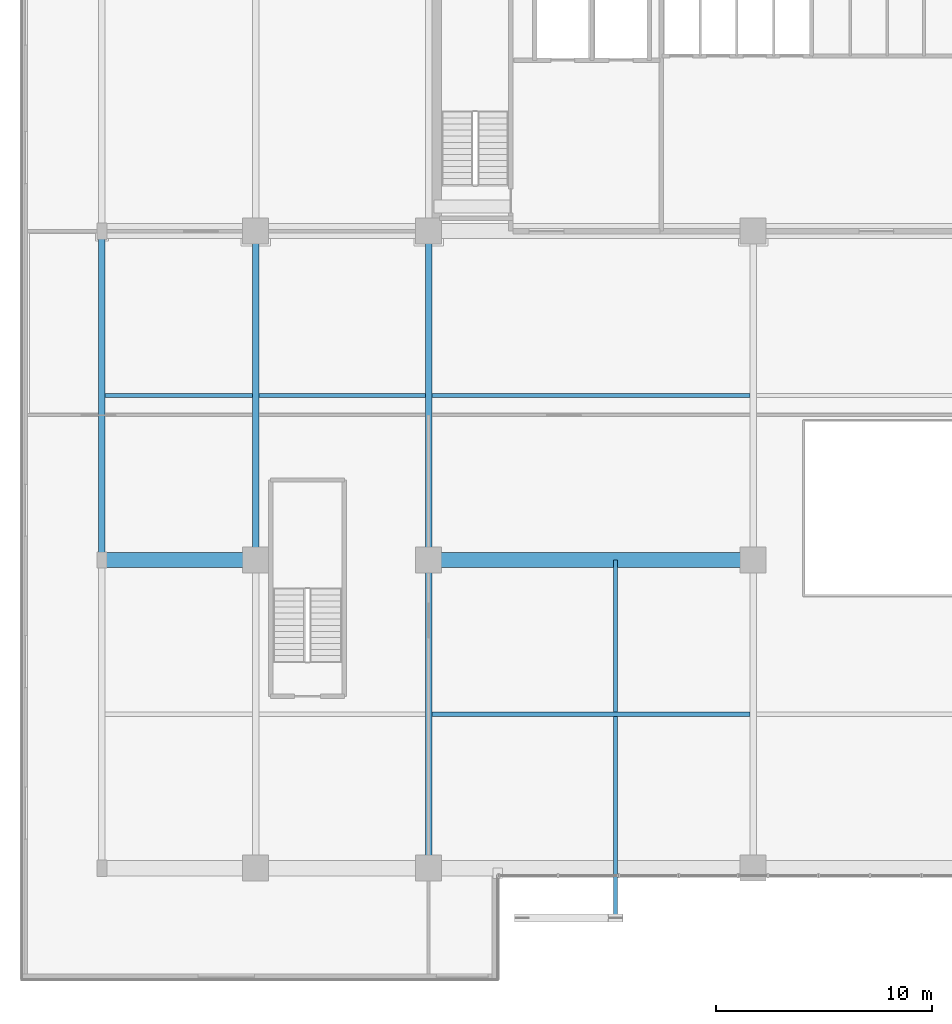
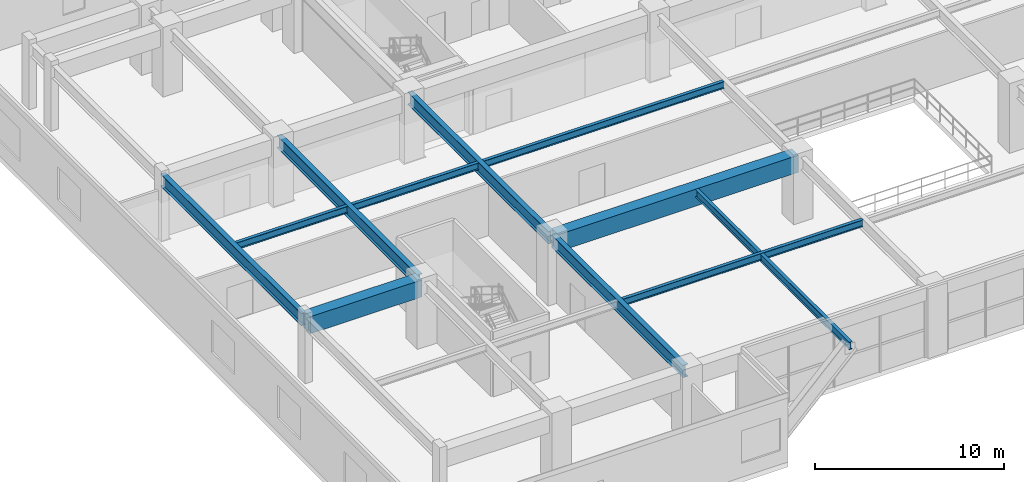
# One storey, part 3 of 24: 11 beams.
"""IFC4 building model written with IfcOpenShell, lengths in metres."""

from ifc_helpers import new_model, si_unit, direction, frame, origin, origin_2d, place, context, subcontext, project, spatial, rectangle, i_section, extrude, source, transform, mapped, material, material_profile, profile_set, type_object, element, save


model = new_model("IFC4")

# Units and contexts
model_context = context("Model", 3, precision=1e-05, world=origin(), true_north=direction((0.0, 1.0)))
body_context = subcontext(model_context, "Body", "Model", "MODEL_VIEW")
ifc_project = project(units=[si_unit("LENGTHUNIT", "METRE"), si_unit("AREAUNIT", "SQUARE_METRE"), si_unit("VOLUMEUNIT", "CUBIC_METRE"), si_unit("PLANEANGLEUNIT", "RADIAN"), si_unit("MASSUNIT", "GRAM", prefix="KILO")], contexts=[model_context])

# Site, building, storey
site_placement = place(None, origin())
site = spatial("IfcSite", under=ifc_project, at=site_placement, CompositionType="ELEMENT")
building_placement = place(site_placement, origin())
building = spatial("IfcBuilding", under=site, at=building_placement, Name="Trelvane Seafront Commons", CompositionType="ELEMENT")
storey_placement = place(building_placement, frame((0.0, 0.0, 5.199951171875)))
storey = spatial("IfcBuildingStorey", under=building, at=storey_placement, Name="L01", CompositionType="ELEMENT", Elevation=5.199951171875)

# Beams
ifc_material_1 = material(Name="Concrete C50/60", Category="concrete")
ifc_material_profile_1 = material_profile(ifc_material_1, rectangle(XDim=0.699951171875, YDim=1.10009765625, at=origin_2d()), Name="RC-700x1100")
ifc_profile_set_1 = profile_set([ifc_material_profile_1], Name="Concrete C50/60")
beam_type_1 = type_object("IfcBeamType", Name="STR-TBM-RC700x1100", PredefinedType="T_BEAM", material=ifc_profile_set_1)
shared_shape_1 = source(origin(), body_context, "Body", "SweptSolid", [
    extrude(rectangle(XDim=0.699951171875, YDim=1.10009765625, at=origin_2d()), origin(), (0.0, 0.0, 1.0), 6.83740234375),
])
beam_1_placement = place(storey_placement, frame((0.612548828125, 18.199951171875, 3.650146484375), z_axis=(1.0, 0.0, 0.0), x_axis=(0.0, 1.0, 0.0)))
element("IfcBeam", 1, at=beam_1_placement, inside=storey, type_object=beam_type_1, Name="L01 Primary Girder G-07", PredefinedType="T_BEAM", context=body_context, shape_type="MappedRepresentation", body=[
    mapped(shared_shape_1, transform((0.0, 0.0, 0.0), x_axis=(1.0, 0.0, 0.0), y_axis=(0.0, 1.0, 0.0), z_axis=(0.0, 0.0, 1.0), scale=1.0)),
])
shared_shape_2 = source(origin(), body_context, "Body", "SweptSolid", [
    extrude(rectangle(XDim=0.699951171875, YDim=1.10009765625, at=origin_2d()), origin(), (0.0, 0.0, 1.0), 14.699951171875),
])
beam_2_placement = place(storey_placement, frame((15.75, 18.199951171875, 3.650146484375), z_axis=(1.0, 0.0, 0.0), x_axis=(0.0, 1.0, 0.0)))
element("IfcBeam", 2, at=beam_2_placement, inside=storey, type_object=beam_type_1, Name="L01 Primary Girder G-09", PredefinedType="T_BEAM", context=body_context, shape_type="MappedRepresentation", body=[
    mapped(shared_shape_2, transform((0.0, 0.0, 0.0), x_axis=(1.0, 0.0, 0.0), y_axis=(0.0, 1.0, 0.0), z_axis=(0.0, 0.0, 1.0), scale=1.0)),
])
ifc_material_2 = material(Name="Steel SM355 (S355)", Category="steel")
ifc_material_profile_2 = material_profile(ifc_material_2, i_section(OverallWidth=0.300048828125, OverallDepth=0.800048828125, WebThickness=0.013916015625, FlangeThickness=0.02587890625, at=origin_2d()), Name="H-800x300x14x26")
ifc_profile_set_2 = profile_set([ifc_material_profile_2], Name="Steel SM355 (S355)")
beam_type_2 = type_object("IfcBeamType", Name="STR-BM-H800", PredefinedType="BEAM", material=ifc_profile_set_2)
shared_shape_3 = source(origin(), body_context, "Body", "SweptSolid", [
    extrude(i_section(OverallWidth=0.300048828125, OverallDepth=0.800048828125, WebThickness=0.013916015625, FlangeThickness=0.02587890625, at=origin_2d()), origin(), (0.0, 0.0, 1.0), 13.949951171875),
])
beam_3_placement = place(storey_placement, frame((15.60009765625, 4.10009765625, 3.800048828125), z_axis=(0.0, 1.0, 0.0), x_axis=(-1.0, 0.0, 0.0)))
element("IfcBeam", 3, at=beam_3_placement, inside=storey, type_object=beam_type_2, Name="L01 Primary Girder G-39", PredefinedType="BEAM", context=body_context, shape_type="MappedRepresentation", body=[
    mapped(shared_shape_3, transform((0.0, 0.0, 0.0), x_axis=(1.0, 0.0, 0.0), y_axis=(0.0, 1.0, 0.0), z_axis=(0.0, 0.0, 1.0), scale=1.0)),
])
shared_shape_4 = source(origin(), body_context, "Body", "SweptSolid", [
    extrude(i_section(OverallWidth=0.300048828125, OverallDepth=0.800048828125, WebThickness=0.013916015625, FlangeThickness=0.02587890625, at=origin_2d()), origin(), (0.0, 0.0, 1.0), 14.89990234375),
])
for number, where, z_axis, x_axis, name in (
    (4, (0.5, 18.35009765625, 3.800048828125), (0.0, 1.0, 0.0), (-1.0, 0.0, 0.0), "L01 Primary Girder G-32"),
    (5, (7.60009765625, 18.35009765625, 3.800048828125), (0.0, 1.0, 0.0), (-1.0, 0.0, 0.0), "L01 Primary Girder G-36"),
    (6, (15.60009765625, 18.35009765625, 3.800048828125), (0.0, 1.0, 0.0), (-1.0, 0.0, 0.0), "L01 Primary Girder G-40"),
):
    element("IfcBeam", number, at=place(storey_placement, frame(where, z_axis=z_axis, x_axis=x_axis)), inside=storey, type_object=beam_type_2, Name=name, PredefinedType="BEAM", context=body_context, shape_type="MappedRepresentation", body=[
        mapped(shared_shape_4, transform((0.0, 0.0, 0.0), x_axis=(1.0, 0.0, 0.0), y_axis=(0.0, 1.0, 0.0), z_axis=(0.0, 0.0, 1.0), scale=1.0)),
    ])
ifc_material_profile_3 = material_profile(ifc_material_2, i_section(OverallWidth=0.199951171875, OverallDepth=0.449951171875, WebThickness=0.009033203125, FlangeThickness=0.013916015625, at=origin_2d()), Name="H-450x200x9x14")
ifc_profile_set_3 = profile_set([ifc_material_profile_3], Name="Steel SM355 (S355)")
beam_type_3 = type_object("IfcBeamType", Name="STR-JST-H450", PredefinedType="JOIST", material=ifc_profile_set_3)
shared_shape_5 = source(origin(), body_context, "Body", "SweptSolid", [
    extrude(i_section(OverallWidth=0.199951171875, OverallDepth=0.449951171875, WebThickness=0.009033203125, FlangeThickness=0.013916015625, at=origin_2d()), origin(), (0.0, 0.0, 1.0), 6.800048828125),
])
beam_4_placement = place(storey_placement, frame((0.64990234375, 25.800048828125, 3.97509765625), z_axis=(1.0, 0.0, 0.0), x_axis=(0.0, 1.0, 0.0)))
element("IfcBeam", 7, at=beam_4_placement, inside=storey, type_object=beam_type_3, Name="L01 Secondary Floor Joist B-65", PredefinedType="JOIST", context=body_context, shape_type="MappedRepresentation", body=[
    mapped(shared_shape_5, transform((0.0, 0.0, 0.0), x_axis=(1.0, 0.0, 0.0), y_axis=(0.0, 1.0, 0.0), z_axis=(0.0, 0.0, 1.0), scale=1.0)),
])
shared_shape_6 = source(origin(), body_context, "Body", "SweptSolid", [
    extrude(i_section(OverallWidth=0.199951171875, OverallDepth=0.449951171875, WebThickness=0.009033203125, FlangeThickness=0.013916015625, at=origin_2d()), origin(), (0.0, 0.0, 1.0), 7.699951171875),
])
beam_5_placement = place(storey_placement, frame((7.75, 25.800048828125, 3.97509765625), z_axis=(1.0, 0.0, 0.0), x_axis=(0.0, 1.0, 0.0)))
element("IfcBeam", 8, at=beam_5_placement, inside=storey, type_object=beam_type_3, Name="L01 Secondary Floor Joist B-66", PredefinedType="JOIST", context=body_context, shape_type="MappedRepresentation", body=[
    mapped(shared_shape_6, transform((0.0, 0.0, 0.0), x_axis=(1.0, 0.0, 0.0), y_axis=(0.0, 1.0, 0.0), z_axis=(0.0, 0.0, 1.0), scale=1.0)),
])
shared_shape_7 = source(origin(), body_context, "Body", "SweptSolid", [
    extrude(i_section(OverallWidth=0.199951171875, OverallDepth=0.449951171875, WebThickness=0.009033203125, FlangeThickness=0.013916015625, at=origin_2d()), origin(), (0.0, 0.0, 1.0), 14.699951171875),
])
for number, where, z_axis, x_axis, name in (
    (9, (15.75, 11.074951171875, 3.97509765625), (1.0, 0.0, 0.0), (0.0, 1.0, 0.0), "L01 Secondary Floor Joist B-61"),
    (10, (15.75, 25.800048828125, 3.97509765625), (1.0, 0.0, 0.0), (0.0, 1.0, 0.0), "L01 Secondary Floor Joist B-67"),
):
    element("IfcBeam", number, at=place(storey_placement, frame(where, z_axis=z_axis, x_axis=x_axis)), inside=storey, type_object=beam_type_3, Name=name, PredefinedType="JOIST", context=body_context, shape_type="MappedRepresentation", body=[
        mapped(shared_shape_7, transform((0.0, 0.0, 0.0), x_axis=(1.0, 0.0, 0.0), y_axis=(0.0, 1.0, 0.0), z_axis=(0.0, 0.0, 1.0), scale=1.0)),
    ])
ifc_material_profile_4 = material_profile(ifc_material_2, i_section(OverallWidth=0.199951171875, OverallDepth=0.5, WebThickness=0.010009765625, FlangeThickness=0.01611328125, at=origin_2d()), Name="H-500x200x10x16")
ifc_profile_set_4 = profile_set([ifc_material_profile_4], Name="Steel SM355 (S355)")
beam_type_4 = type_object("IfcBeamType", Name="STR-BM-H500", PredefinedType="BEAM", material=ifc_profile_set_4)
shared_shape_8 = source(origin(), body_context, "Body", "SweptSolid", [
    extrude(i_section(OverallWidth=0.199951171875, OverallDepth=0.5, WebThickness=0.010009765625, FlangeThickness=0.01611328125, at=origin_2d()), origin(), (0.0, 0.0, 1.0), 16.64990234375),
])
beam_6_placement = place(storey_placement, frame((24.239990234375, 18.199951171875, 3.949951171875), z_axis=(0.0, -1.0, 0.0), x_axis=(1.0, 0.0, 0.0)))
element("IfcBeam", 11, at=beam_6_placement, inside=storey, type_object=beam_type_4, Name="L01 Inverted-V Portal Tie Cantilever Girder G-73", PredefinedType="BEAM", context=body_context, shape_type="MappedRepresentation", body=[
    mapped(shared_shape_8, transform((0.0, 0.0, 0.0), x_axis=(1.0, 0.0, 0.0), y_axis=(0.0, 1.0, 0.0), z_axis=(0.0, 0.0, 1.0), scale=1.0)),
])

save(model, "model.ifc")
